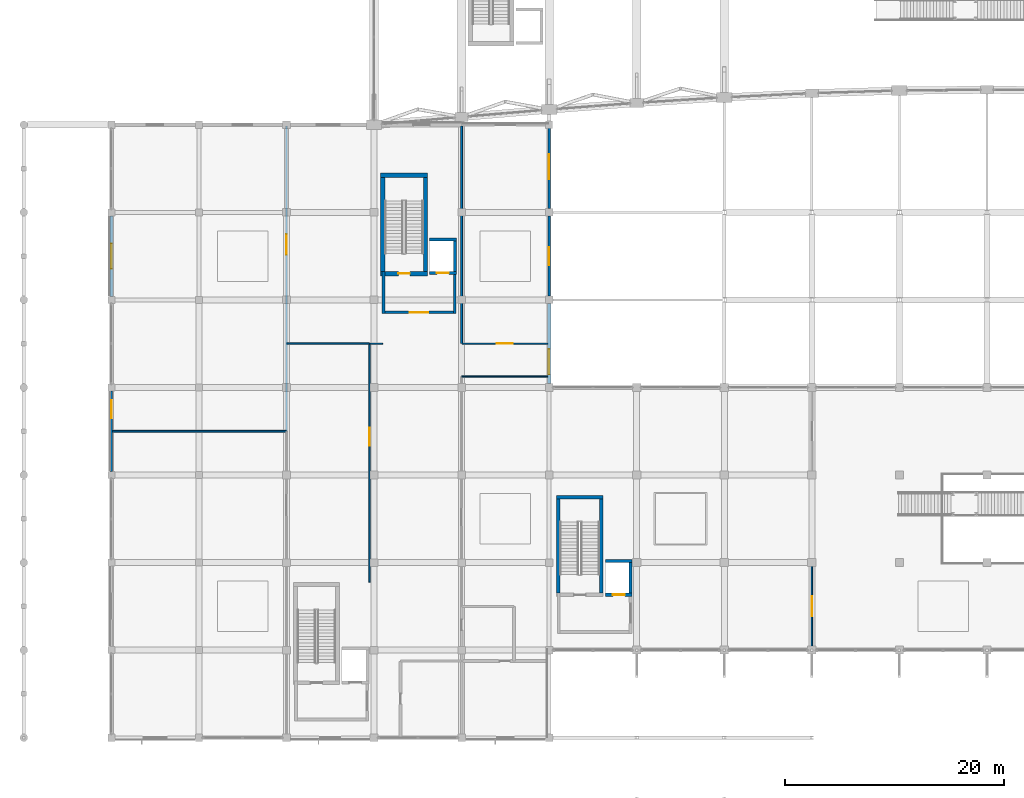
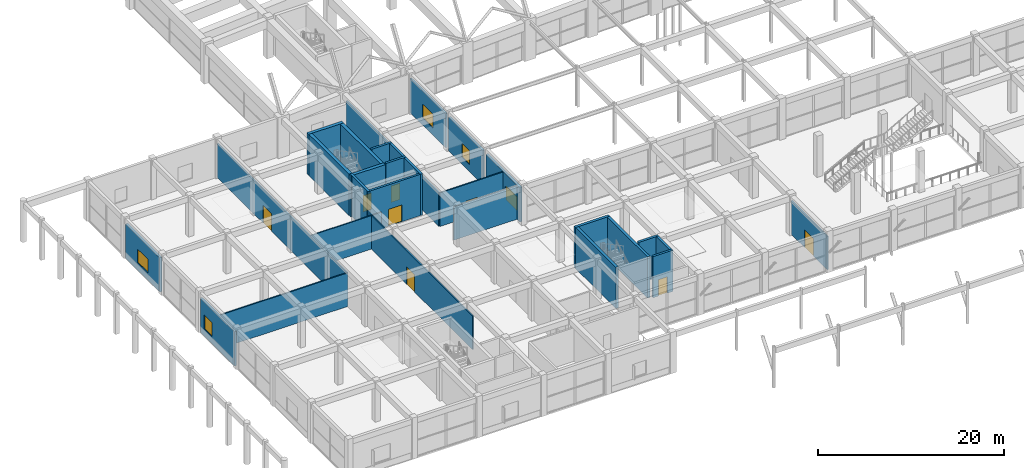
# One storey, part 48 of 69: 30 walls, 8 doors, 5 windows, 13 openings.
"""IFC4 building model written with IfcOpenShell, lengths in metres."""

from ifc_helpers import new_model, si_unit, direction, frame, frame_2d, origin, place, context, subcontext, project, spatial, rectangle, extrude, material, layer, layer_set, type_object, element, fill, save


model = new_model("IFC4")

# Units and contexts
model_context = context("Model", 3, precision=1e-05, world=origin(), true_north=direction((0.0, 1.0)))
body_context = subcontext(model_context, "Body", "Model", "MODEL_VIEW")
ifc_project = project(units=[si_unit("LENGTHUNIT", "METRE"), si_unit("AREAUNIT", "SQUARE_METRE"), si_unit("VOLUMEUNIT", "CUBIC_METRE"), si_unit("PLANEANGLEUNIT", "RADIAN"), si_unit("MASSUNIT", "GRAM", prefix="KILO")], contexts=[model_context])

# Site, building, storey
site_placement = place(None, origin())
site = spatial("IfcSite", under=ifc_project, at=site_placement, CompositionType="ELEMENT")
building_placement = place(site_placement, origin())
building = spatial("IfcBuilding", under=site, at=building_placement, Name="Kenh Van Central Station", CompositionType="ELEMENT")
storey_placement = place(building_placement, frame((0.0, 0.0, 5.39990234375)))
storey = spatial("IfcBuildingStorey", under=building, at=storey_placement, Name="L01", CompositionType="ELEMENT", Elevation=5.39990234375)

# Wall, opening, door
ifc_material_1 = material(Name="Concrete C40/50", Category="concrete")
ifc_layer_1 = layer(ifc_material_1, 0.280029296875, Name="Concrete C40/50")
ifc_layer_set_1 = layer_set([ifc_layer_1], Name="Concrete C40/50")
wall_type_1 = type_object("IfcWallType", Name="WL-CORE-280", PredefinedType="SHEAR", material=ifc_layer_set_1)
wall_1_placement = place(storey_placement, frame((37.050048828125, 50.4599609375, 0.0), z_axis=(0.0, 0.0, 1.0), x_axis=(1.0, 0.0, 0.0)))
wall_1 = element("IfcWall", 1, at=wall_1_placement, inside=storey, type_object=wall_type_1, Name="L01 LIFT-P2 shaft wall S", PredefinedType="SHEAR", context=body_context, shape_type="SweptSolid", body=[
    extrude(rectangle(XDim=2.47998046875, YDim=0.280029296875, at=frame_2d((1.239990234375, 0.0))), origin(), (0.0, 0.0, 1.0), 5.400146484375),
])
opening_1_placement = place(wall_1_placement, frame((0.68994140625, 0.0, 0.0)))
opening_1 = element("IfcOpeningElement", 2, at=opening_1_placement, cuts=wall_1, Name="Opening LD-P1", PredefinedType="OPENING", context=body_context, shape_type="SweptSolid", body=[
    extrude(rectangle(XDim=1.10009765625, YDim=2.14990234375, at=frame_2d((0.550048828125, 1.074951171875))), frame((0.0, 0.14990234375, 0.0), z_axis=(0.0, -1.0, 0.0), x_axis=(1.0, 0.0, 0.0)), (0.0, 0.0, 1.0), 0.300048828125),
])
ifc_material_2 = material(Name="Champagne anodised aluminium", Category="aluminium")
door_type_1 = type_object("IfcDoorType", Name="DR-LIFT-1100x2150", OperationType="SLIDING_TO_LEFT", PredefinedType="DOOR", material=ifc_material_2)
door_1_placement = place(opening_1_placement, origin())
door_1 = element("IfcDoor", 3, at=door_1_placement, inside=storey, type_object=door_type_1, Name="L01 LIFT-P2 sliding landing door", OperationType="SLIDING_TO_LEFT", OverallHeight=2.14990234375, OverallWidth=1.10009765625, PredefinedType="DOOR", context=body_context, shape_type="SweptSolid", body=[
    extrude(rectangle(XDim=1.10009765625, YDim=2.14990234375, at=frame_2d((0.550048828125, 1.074951171875))), frame((0.0, 0.02490234375, 0.0), z_axis=(0.0, -1.0, 0.0), x_axis=(1.0, 0.0, 0.0)), (0.0, 0.0, 1.0), 0.050048828125),
])
fill(opening_1, door_1)

# Walls
wall_2_placement = place(storey_placement, frame((37.050048828125, 53.5400390625, 0.0), z_axis=(0.0, 0.0, 1.0), x_axis=(1.0, 0.0, 0.0)))
element("IfcWall", 4, at=wall_2_placement, inside=storey, type_object=wall_type_1, Name="L01 LIFT-P2 shaft wall N", PredefinedType="SHEAR", context=body_context, shape_type="SweptSolid", body=[
    extrude(rectangle(XDim=2.47998046875, YDim=0.280029296875, at=frame_2d((1.239990234375, 0.0))), origin(), (0.0, 0.0, 1.0), 5.400146484375),
])
wall_3_placement = place(storey_placement, frame((39.389892578125, 50.60009765625, 0.0), z_axis=(0.0, 0.0, 1.0), x_axis=(0.0, 1.0, 0.0)))
element("IfcWall", 5, at=wall_3_placement, inside=storey, type_object=wall_type_1, Name="L01 LIFT-P2 shaft wall E", PredefinedType="SHEAR", context=body_context, shape_type="SweptSolid", body=[
    extrude(rectangle(XDim=2.7998046875, YDim=0.280029296875, at=frame_2d((1.39990234375, 0.0))), origin(), (0.0, 0.0, 1.0), 5.400146484375),
])

# Wall, opening, door
wall_4_placement = place(storey_placement, frame((53.14990234375, 21.06005859375, 0.0), z_axis=(0.0, 0.0, 1.0), x_axis=(1.0, 0.0, 0.0)))
wall_4 = element("IfcWall", 6, at=wall_4_placement, inside=storey, type_object=wall_type_1, Name="L01 LIFT-P3 shaft wall S", PredefinedType="SHEAR", context=body_context, shape_type="SweptSolid", body=[
    extrude(rectangle(XDim=2.43017578125, YDim=0.280029296875, at=frame_2d((1.215087890625, 0.0))), origin(), (0.0, 0.0, 1.0), 5.400146484375),
])
opening_2_placement = place(wall_4_placement, frame((0.6650390625, 0.0, 0.0)))
opening_2 = element("IfcOpeningElement", 7, at=opening_2_placement, cuts=wall_4, Name="Opening LD-P1", PredefinedType="OPENING", context=body_context, shape_type="SweptSolid", body=[
    extrude(rectangle(XDim=1.10009765625, YDim=2.14990234375, at=frame_2d((0.550048828125, 1.074951171875))), frame((0.0, 0.14990234375, 0.0), z_axis=(0.0, -1.0, 0.0), x_axis=(1.0, 0.0, 0.0)), (0.0, 0.0, 1.0), 0.300048828125),
])
door_2_placement = place(opening_2_placement, origin())
door_2 = element("IfcDoor", 8, at=door_2_placement, inside=storey, type_object=door_type_1, Name="L01 LIFT-P3 sliding landing door", OperationType="SLIDING_TO_LEFT", OverallHeight=2.14990234375, OverallWidth=1.10009765625, PredefinedType="DOOR", context=body_context, shape_type="SweptSolid", body=[
    extrude(rectangle(XDim=1.10009765625, YDim=2.14990234375, at=frame_2d((0.550048828125, 1.074951171875))), frame((0.0, 0.02490234375, 0.0), z_axis=(0.0, -1.0, 0.0), x_axis=(1.0, 0.0, 0.0)), (0.0, 0.0, 1.0), 0.050048828125),
])
fill(opening_2, door_2)

# Walls
wall_5_placement = place(storey_placement, frame((53.14990234375, 24.139892578125, 0.0), z_axis=(0.0, 0.0, 1.0), x_axis=(1.0, 0.0, 0.0)))
element("IfcWall", 9, at=wall_5_placement, inside=storey, type_object=wall_type_1, Name="L01 LIFT-P3 shaft wall N", PredefinedType="SHEAR", context=body_context, shape_type="SweptSolid", body=[
    extrude(rectangle(XDim=2.43017578125, YDim=0.280029296875, at=frame_2d((1.215087890625, 0.0))), origin(), (0.0, 0.0, 1.0), 5.400146484375),
])
wall_6_placement = place(storey_placement, frame((55.43994140625, 21.199951171875, 0.0), z_axis=(0.0, 0.0, 1.0), x_axis=(0.0, 1.0, 0.0)))
element("IfcWall", 10, at=wall_6_placement, inside=storey, type_object=wall_type_1, Name="L01 LIFT-P3 shaft wall E", PredefinedType="SHEAR", context=body_context, shape_type="SweptSolid", body=[
    extrude(rectangle(XDim=2.800048828125, YDim=0.280029296875, at=frame_2d((1.39990234375, 0.0))), origin(), (0.0, 0.0, 1.0), 5.400146484375),
])
ifc_layer_2 = layer(ifc_material_1, 0.320068359375, Name="Concrete C40/50")
ifc_layer_set_2 = layer_set([ifc_layer_2], Name="Concrete C40/50")
wall_type_2 = type_object("IfcWallType", Name="WL-CORE-320", PredefinedType="SHEAR", material=ifc_layer_set_2)
wall_7_placement = place(storey_placement, frame((48.679931640625, 29.9599609375, 0.0), z_axis=(0.0, 0.0, 1.0), x_axis=(1.0, 0.0, 0.0)))
element("IfcWall", 11, at=wall_7_placement, inside=storey, type_object=wall_type_2, Name="L01 CORE-03 stair wall N", PredefinedType="SHEAR", context=body_context, shape_type="SweptSolid", body=[
    extrude(rectangle(XDim=4.239990234375, YDim=0.320068359375, at=frame_2d((2.1201171875, 0.0))), origin(), (0.0, 0.0, 1.0), 5.400146484375),
])
for number, where, z_axis, x_axis, name in (
    (12, (48.840087890625, 21.199951171875, 0.0), (0.0, 0.0, 1.0), (0.0, 1.0, 0.0), "L01 CORE-03 stair wall W"),
    (13, (52.760009765625, 21.199951171875, 0.0), (0.0, 0.0, 1.0), (0.0, 1.0, 0.0), "L01 CORE-03 stair wall E"),
):
    element("IfcWall", number, at=place(storey_placement, frame(where, z_axis=z_axis, x_axis=x_axis)), inside=storey, type_object=wall_type_2, Name=name, PredefinedType="SHEAR", context=body_context, shape_type="SweptSolid", body=[
        extrude(rectangle(XDim=8.60009765625, YDim=0.320068359375, at=frame_2d((4.300048828125, 0.0))), origin(), (0.0, 0.0, 1.0), 5.400146484375),
    ])

# Wall, opening, door
ifc_layer_3 = layer(ifc_material_1, 0.39990234375, Name="Concrete C40/50")
ifc_layer_set_3 = layer_set([ifc_layer_3], Name="Concrete C40/50")
wall_type_3 = type_object("IfcWallType", Name="WL-CORE-400", PredefinedType="SHEAR", material=ifc_layer_set_3)
wall_8_placement = place(storey_placement, frame((32.60009765625, 50.39990234375, 0.0), z_axis=(0.0, 0.0, 1.0), x_axis=(1.0, 0.0, 0.0)))
wall_8 = element("IfcWall", 14, at=wall_8_placement, inside=storey, type_object=wall_type_3, Name="L01 CORE-02 stair wall S", PredefinedType="SHEAR", context=body_context, shape_type="SweptSolid", body=[
    extrude(rectangle(XDim=4.2998046875, YDim=0.39990234375, at=frame_2d((2.14990234375, 0.0))), origin(), (0.0, 0.0, 1.0), 5.400146484375),
])
opening_3_placement = place(wall_8_placement, frame((1.625, 0.0, 0.0)))
opening_3 = element("IfcOpeningElement", 15, at=opening_3_placement, cuts=wall_8, Name="Opening D-FD60", PredefinedType="OPENING", context=body_context, shape_type="SweptSolid", body=[
    extrude(rectangle(XDim=1.050048828125, YDim=2.14990234375, at=frame_2d((0.52490234375, 1.074951171875))), frame((0.0, 0.2099609375, 0.0), z_axis=(0.0, -1.0, 0.0), x_axis=(1.0, 0.0, 0.0)), (0.0, 0.0, 1.0), 0.419921875),
])
door_type_2 = type_object("IfcDoorType", Name="DR-FIRE-1050x2150", OperationType="NOTDEFINED", PredefinedType="DOOR", material=ifc_material_2)
door_3_placement = place(opening_3_placement, origin())
door_3 = element("IfcDoor", 16, at=door_3_placement, inside=storey, type_object=door_type_2, Name="L01 ST-02 stair door", OperationType="SINGLE_SWING_RIGHT", OverallHeight=2.14990234375, OverallWidth=1.050048828125, PredefinedType="DOOR", context=body_context, shape_type="SweptSolid", body=[
    extrude(rectangle(XDim=1.050048828125, YDim=2.14990234375, at=frame_2d((0.52490234375, 1.074951171875))), frame((0.0, 0.02490234375, 0.0), z_axis=(0.0, -1.0, 0.0), x_axis=(1.0, 0.0, 0.0)), (0.0, 0.0, 1.0), 0.050048828125),
])
fill(opening_3, door_3)

# Walls
wall_9_placement = place(storey_placement, frame((32.60009765625, 59.39990234375, 0.0), z_axis=(0.0, 0.0, 1.0), x_axis=(1.0, 0.0, 0.0)))
element("IfcWall", 17, at=wall_9_placement, inside=storey, type_object=wall_type_3, Name="L01 CORE-02 stair wall N", PredefinedType="SHEAR", context=body_context, shape_type="SweptSolid", body=[
    extrude(rectangle(XDim=4.2998046875, YDim=0.39990234375, at=frame_2d((2.14990234375, 0.0))), origin(), (0.0, 0.0, 1.0), 5.400146484375),
])
for number, where, z_axis, x_axis, name in (
    (18, (32.800048828125, 50.60009765625, 0.0), (0.0, 0.0, 1.0), (0.0, 1.0, 0.0), "L01 CORE-02 stair wall W"),
    (19, (36.699951171875, 50.60009765625, 0.0), (0.0, 0.0, 1.0), (0.0, 1.0, 0.0), "L01 CORE-02 stair wall E"),
):
    element("IfcWall", number, at=place(storey_placement, frame(where, z_axis=z_axis, x_axis=x_axis)), inside=storey, type_object=wall_type_3, Name=name, PredefinedType="SHEAR", context=body_context, shape_type="SweptSolid", body=[
        extrude(rectangle(XDim=8.599853515625, YDim=0.39990234375, at=frame_2d((4.2998046875, 0.0))), origin(), (0.0, 0.0, 1.0), 5.400146484375),
    ])

# Wall, opening, window
ifc_material_3 = material(Name="Saigon buff sandstone and terracotta masonry", Category="masonry")
ifc_layer_4 = layer(ifc_material_3, 0.2900390625, Name="Saigon buff sandstone and terracotta masonry")
ifc_layer_set_4 = layer_set([ifc_layer_4], Name="Saigon buff sandstone and terracotta masonry")
wall_type_4 = type_object("IfcWallType", Name="WL-EXT-290", PredefinedType="STANDARD", material=ifc_layer_set_4)
wall_10_placement = place(storey_placement, frame((8.0, 55.675048828125, 0.0), z_axis=(0.0, 0.0, 1.0), x_axis=(0.0, -1.0, 0.0)))
wall_10 = element("IfcWall", 20, at=wall_10_placement, inside=storey, type_object=wall_type_4, Name="L01 exterior wall 052", PredefinedType="STANDARD", context=body_context, shape_type="SweptSolid", body=[
    extrude(rectangle(XDim=7.35009765625, YDim=0.2900390625, at=frame_2d((3.675048828125, 0.0))), origin(), (0.0, 0.0, 1.0), 4.47998046875),
])
opening_4_placement = place(wall_10_placement, frame((2.52490234375, 0.0, 0.949951171875)))
opening_4 = element("IfcOpeningElement", 21, at=opening_4_placement, cuts=wall_10, Name="Opening WN-14", PredefinedType="OPENING", context=body_context, shape_type="SweptSolid", body=[
    extrude(rectangle(XDim=2.300048828125, YDim=1.800048828125, at=frame_2d((1.14990234375, 0.89990234375))), frame((0.0, 0.155029296875, 0.0), z_axis=(0.0, -1.0, 0.0), x_axis=(1.0, 0.0, 0.0)), (0.0, 0.0, 1.0), 0.31005859375),
])
ifc_material_4 = material(Name="Double-glazed low-E laminated solar glass", Category="glass")
window_type_1 = type_object("IfcWindowType", Name="WN-OP01-2300x1800", PartitioningType="DOUBLE_PANEL_VERTICAL", PredefinedType="WINDOW", material=ifc_material_4)
window_1_placement = place(opening_4_placement, origin())
window_1 = element("IfcWindow", 22, at=window_1_placement, inside=storey, type_object=window_type_1, Name="L01 window 024", OverallHeight=1.800048828125, OverallWidth=2.300048828125, PartitioningType="SINGLE_PANEL", PredefinedType="WINDOW", context=body_context, shape_type="SweptSolid", body=[
    extrude(rectangle(XDim=2.300048828125, YDim=1.800048828125, at=frame_2d((1.14990234375, 0.89990234375))), frame((0.0, 0.030029296875, 0.0), z_axis=(0.0, -1.0, 0.0), x_axis=(1.0, 0.0, 0.0)), (0.0, 0.0, 1.0), 0.06005859375),
])
fill(opening_4, window_1)

wall_11_placement = place(storey_placement, frame((48.0, 40.35009765625, 0.0), z_axis=(0.0, 0.0, 1.0), x_axis=(0.0, 1.0, 0.0)))
wall_11 = element("IfcWall", 23, at=wall_11_placement, inside=storey, type_object=wall_type_4, Name="L01 exterior wall 060", PredefinedType="STANDARD", context=body_context, shape_type="SweptSolid", body=[
    extrude(rectangle(XDim=7.2998046875, YDim=0.2900390625, at=frame_2d((3.64990234375, 0.0))), origin(), (0.0, 0.0, 1.0), 4.47998046875),
])
opening_5_placement = place(wall_11_placement, frame((0.85009765625, 0.0, 0.949951171875)))
opening_5 = element("IfcOpeningElement", 24, at=opening_5_placement, cuts=wall_11, Name="Opening WN-14", PredefinedType="OPENING", context=body_context, shape_type="SweptSolid", body=[
    extrude(rectangle(XDim=2.300048828125, YDim=1.800048828125, at=frame_2d((1.14990234375, 0.89990234375))), frame((0.0, 0.155029296875, 0.0), z_axis=(0.0, -1.0, 0.0), x_axis=(1.0, 0.0, 0.0)), (0.0, 0.0, 1.0), 0.31005859375),
])
window_2_placement = place(opening_5_placement, origin())
window_2 = element("IfcWindow", 25, at=window_2_placement, inside=storey, type_object=window_type_1, Name="L01 window 032", OverallHeight=1.800048828125, OverallWidth=2.300048828125, PartitioningType="SINGLE_PANEL", PredefinedType="WINDOW", context=body_context, shape_type="SweptSolid", body=[
    extrude(rectangle(XDim=2.300048828125, YDim=1.800048828125, at=frame_2d((1.14990234375, 0.89990234375))), frame((0.0, 0.030029296875, 0.0), z_axis=(0.0, -1.0, 0.0), x_axis=(1.0, 0.0, 0.0)), (0.0, 0.0, 1.0), 0.06005859375),
])
fill(opening_5, window_2)

# Wall, opening, door
ifc_layer_5 = layer(ifc_material_1, 0.260009765625, Name="Concrete C40/50")
ifc_layer_set_5 = layer_set([ifc_layer_5], Name="Concrete C40/50")
wall_type_5 = type_object("IfcWallType", Name="WL-FIRE-260", PredefinedType="SHEAR", material=ifc_layer_set_5)
wall_12_placement = place(storey_placement, frame((39.510009765625, 46.8701171875, 0.0), z_axis=(0.0, 0.0, 1.0), x_axis=(-1.0, 0.0, 0.0)))
wall_12 = element("IfcWall", 26, at=wall_12_placement, inside=storey, type_object=wall_type_5, Name="L01 CORE-02 lobby wall S", PredefinedType="SHEAR", context=body_context, shape_type="SweptSolid", body=[
    extrude(rectangle(XDim=6.77001953125, YDim=0.260009765625, at=frame_2d((3.385009765625, 0.0))), origin(), (0.0, 0.0, 1.0), 5.400146484375),
])
opening_6_placement = place(wall_12_placement, frame((2.534912109375, 0.0, 0.0)))
opening_6 = element("IfcOpeningElement", 27, at=opening_6_placement, cuts=wall_12, Name="Opening D-FD60D", PredefinedType="OPENING", context=body_context, shape_type="SweptSolid", body=[
    extrude(rectangle(XDim=1.699951171875, YDim=2.199951171875, at=frame_2d((0.85009765625, 1.10009765625))), frame((0.0, 0.139892578125, 0.0), z_axis=(0.0, -1.0, 0.0), x_axis=(1.0, 0.0, 0.0)), (0.0, 0.0, 1.0), 0.280029296875),
])
door_type_3 = type_object("IfcDoorType", Name="DR-FIRE-1700x2200", OperationType="DOUBLE_DOOR_SINGLE_SWING", PredefinedType="DOOR", material=ifc_material_2)
door_4_placement = place(opening_6_placement, origin())
door_4 = element("IfcDoor", 28, at=door_4_placement, inside=storey, type_object=door_type_3, Name="L01 CORE-02 smoke-stop lobby door", OperationType="DOUBLE_DOOR_SINGLE_SWING", OverallHeight=2.199951171875, OverallWidth=1.699951171875, PredefinedType="DOOR", context=body_context, shape_type="SweptSolid", body=[
    extrude(rectangle(XDim=1.699951171875, YDim=2.199951171875, at=frame_2d((0.85009765625, 1.10009765625))), frame((0.0, 0.02490234375, 0.0), z_axis=(0.0, -1.0, 0.0), x_axis=(1.0, 0.0, 0.0)), (0.0, 0.0, 1.0), 0.050048828125),
])
fill(opening_6, door_4)

# Walls
for number, where, z_axis, x_axis, name in (
    (29, (32.8701171875, 46.739990234375, 0.0), (0.0, 0.0, 1.0), (0.0, 1.0, 0.0), "L01 CORE-02 lobby wall W"),
    (30, (39.3798828125, 46.739990234375, 0.0), (0.0, 0.0, 1.0), (0.0, 1.0, 0.0), "L01 CORE-02 lobby wall E"),
):
    element("IfcWall", number, at=place(storey_placement, frame(where, z_axis=z_axis, x_axis=x_axis)), inside=storey, type_object=wall_type_5, Name=name, PredefinedType="SHEAR", context=body_context, shape_type="SweptSolid", body=[
        extrude(rectangle(XDim=3.860107421875, YDim=0.260009765625, at=frame_2d((1.93017578125, 0.0))), origin(), (0.0, 0.0, 1.0), 5.400146484375),
    ])
ifc_material_5 = material(Name="Lightweight acoustic masonry blockwork", Category="masonry")
ifc_layer_6 = layer(ifc_material_5, 0.10009765625, Name="Lightweight acoustic masonry blockwork")
ifc_layer_set_6 = layer_set([ifc_layer_6], Name="Lightweight acoustic masonry blockwork")
wall_type_6 = type_object("IfcWallType", Name="WL-PART-100", PredefinedType="PARTITIONING", material=ifc_layer_set_6)
wall_13_placement = place(storey_placement, frame((40.02001953125, 41.0, 0.0), z_axis=(0.0, 0.0, 1.0), x_axis=(1.0, 0.0, 0.0)))
element("IfcWall", 31, at=wall_13_placement, inside=storey, type_object=wall_type_6, Name="L01 interior wall 0104", PredefinedType="PARTITIONING", context=body_context, shape_type="SweptSolid", body=[
    extrude(rectangle(XDim=7.85986328125, YDim=0.10009765625, at=frame_2d((3.929931640625, 0.0))), origin(), (0.0, 0.0, 1.0), 4.39013671875),
])
ifc_layer_7 = layer(ifc_material_5, 0.125, Name="Lightweight acoustic masonry blockwork")
ifc_layer_set_7 = layer_set([ifc_layer_7], Name="Lightweight acoustic masonry blockwork")
wall_type_7 = type_object("IfcWallType", Name="WL-PART-125", PredefinedType="PARTITIONING", material=ifc_layer_set_7)
wall_14_placement = place(storey_placement, frame((31.6201171875, 44.0, 0.0), z_axis=(0.0, 0.0, 1.0), x_axis=(1.0, 0.0, 0.0)))
element("IfcWall", 32, at=wall_14_placement, inside=storey, type_object=wall_type_7, Name="L01 interior wall 0102", PredefinedType="PARTITIONING", context=body_context, shape_type="SweptSolid", body=[
    extrude(rectangle(XDim=1.159912109375, YDim=0.125, at=frame_2d((0.580078125, 0.0))), origin(), (0.0, 0.0, 1.0), 4.39013671875),
])
ifc_layer_8 = layer(ifc_material_5, 0.135009765625, Name="Lightweight acoustic masonry blockwork")
ifc_layer_set_8 = layer_set([ifc_layer_8], Name="Lightweight acoustic masonry blockwork")
wall_type_8 = type_object("IfcWallType", Name="WL-PART-135", PredefinedType="PARTITIONING", material=ifc_layer_set_8)
wall_15_placement = place(storey_placement, frame((24.02001953125, 44.0, 0.0), z_axis=(0.0, 0.0, 1.0), x_axis=(1.0, 0.0, 0.0)))
element("IfcWall", 33, at=wall_15_placement, inside=storey, type_object=wall_type_8, Name="L01 interior wall 0101", PredefinedType="PARTITIONING", context=body_context, shape_type="SweptSolid", body=[
    extrude(rectangle(XDim=7.56005859375, YDim=0.135009765625, at=frame_2d((3.780029296875, 0.0))), origin(), (0.0, 0.0, 1.0), 4.39013671875),
])

# Wall, opening, door
ifc_layer_9 = layer(ifc_material_5, 0.14990234375, Name="Lightweight acoustic masonry blockwork")
ifc_layer_set_9 = layer_set([ifc_layer_9], Name="Lightweight acoustic masonry blockwork")
wall_type_9 = type_object("IfcWallType", Name="WL-PART-150", PredefinedType="PARTITIONING", material=ifc_layer_set_9)
wall_16_placement = place(storey_placement, frame((31.60009765625, 22.219970703125, 0.0), z_axis=(0.0, 0.0, 1.0), x_axis=(0.0, 1.0, 0.0)))
wall_16 = element("IfcWall", 34, at=wall_16_placement, inside=storey, type_object=wall_type_9, Name="L01 interior wall 0100", PredefinedType="PARTITIONING", context=body_context, shape_type="SweptSolid", body=[
    extrude(rectangle(XDim=21.760009765625, YDim=0.14990234375, at=frame_2d((10.8798828125, 0.0))), origin(), (0.0, 0.0, 1.0), 4.39013671875),
])
opening_7_placement = place(wall_16_placement, frame((12.46826171875, 0.0, 0.0)))
opening_7 = element("IfcOpeningElement", 35, at=opening_7_placement, cuts=wall_16, Name="Opening D-IN02", PredefinedType="OPENING", context=body_context, shape_type="SweptSolid", body=[
    extrude(rectangle(XDim=1.64990234375, YDim=2.25, at=frame_2d((0.824951171875, 1.125))), frame((0.0, 0.0849609375, 0.0), z_axis=(0.0, -1.0, 0.0), x_axis=(1.0, 0.0, 0.0)), (0.0, 0.0, 1.0), 0.169921875),
])
ifc_material_6 = material(Name="Architectural hardwood timber", Category="wood")
door_type_4 = type_object("IfcDoorType", Name="DR-INT-1650x2250", OperationType="DOUBLE_DOOR_SINGLE_SWING", PredefinedType="DOOR", material=ifc_material_6)
door_5_placement = place(opening_7_placement, origin())
door_5 = element("IfcDoor", 36, at=door_5_placement, inside=storey, type_object=door_type_4, Name="L01 interior door 0055", OperationType="DOUBLE_DOOR_SINGLE_SWING", OverallHeight=2.25, OverallWidth=1.64990234375, PredefinedType="DOOR", context=body_context, shape_type="SweptSolid", body=[
    extrude(rectangle(XDim=1.64990234375, YDim=2.25, at=frame_2d((0.824951171875, 1.125))), frame((0.0, 0.02490234375, 0.0), z_axis=(0.0, -1.0, 0.0), x_axis=(1.0, 0.0, 0.0)), (0.0, 0.0, 1.0), 0.050048828125),
])
fill(opening_7, door_5)

wall_17_placement = place(storey_placement, frame((72.0, 16.1201171875, 0.0), z_axis=(0.0, 0.0, 1.0), x_axis=(0.0, 1.0, 0.0)))
wall_17 = element("IfcWall", 37, at=wall_17_placement, inside=storey, type_object=wall_type_9, Name="L01 interior wall 0114", PredefinedType="PARTITIONING", context=body_context, shape_type="SweptSolid", body=[
    extrude(rectangle(XDim=7.759765625, YDim=0.14990234375, at=frame_2d((3.8798828125, 0.0))), origin(), (0.0, 0.0, 1.0), 4.380126953125),
])
opening_8_placement = place(wall_17_placement, frame((2.955078125, 0.0, 0.0)))
opening_8 = element("IfcOpeningElement", 38, at=opening_8_placement, cuts=wall_17, Name="Opening D-IN01", PredefinedType="OPENING", context=body_context, shape_type="SweptSolid", body=[
    extrude(rectangle(XDim=1.85009765625, YDim=2.300048828125, at=frame_2d((0.925048828125, 1.14990234375))), frame((0.0, 0.0849609375, 0.0), z_axis=(0.0, -1.0, 0.0), x_axis=(1.0, 0.0, 0.0)), (0.0, 0.0, 1.0), 0.169921875),
])
door_type_5 = type_object("IfcDoorType", Name="DR-INT-1850x2300", OperationType="DOUBLE_DOOR_SINGLE_SWING", PredefinedType="DOOR", material=ifc_material_6)
door_6_placement = place(opening_8_placement, origin())
door_6 = element("IfcDoor", 39, at=door_6_placement, inside=storey, type_object=door_type_5, Name="L01 interior door 0061", OperationType="DOUBLE_DOOR_SINGLE_SWING", OverallHeight=2.300048828125, OverallWidth=1.85009765625, PredefinedType="DOOR", context=body_context, shape_type="SweptSolid", body=[
    extrude(rectangle(XDim=1.85009765625, YDim=2.300048828125, at=frame_2d((0.925048828125, 1.14990234375))), frame((0.0, 0.02490234375, 0.0), z_axis=(0.0, -1.0, 0.0), x_axis=(1.0, 0.0, 0.0)), (0.0, 0.0, 1.0), 0.050048828125),
])
fill(opening_8, door_6)

# Wall
ifc_layer_10 = layer(ifc_material_5, 0.159912109375, Name="Lightweight acoustic masonry blockwork")
ifc_layer_set_10 = layer_set([ifc_layer_10], Name="Lightweight acoustic masonry blockwork")
wall_type_10 = type_object("IfcWallType", Name="WL-PART-160", PredefinedType="PARTITIONING", material=ifc_layer_set_10)
wall_18_placement = place(storey_placement, frame((8.1201171875, 36.0, 0.0), z_axis=(0.0, 0.0, 1.0), x_axis=(1.0, 0.0, 0.0)))
element("IfcWall", 40, at=wall_18_placement, inside=storey, type_object=wall_type_10, Name="L01 interior wall 0099", PredefinedType="PARTITIONING", context=body_context, shape_type="SweptSolid", body=[
    extrude(rectangle(XDim=15.85986328125, YDim=0.159912109375, at=frame_2d((7.929931640625, 0.0))), origin(), (0.0, 0.0, 1.0), 4.39013671875),
])

# Wall, opening, door
wall_19_placement = place(storey_placement, frame((40.02001953125, 44.0, 0.0), z_axis=(0.0, 0.0, 1.0), x_axis=(1.0, 0.0, 0.0)))
wall_19 = element("IfcWall", 41, at=wall_19_placement, inside=storey, type_object=wall_type_10, Name="L01 interior wall 0113", PredefinedType="PARTITIONING", context=body_context, shape_type="SweptSolid", body=[
    extrude(rectangle(XDim=7.85986328125, YDim=0.159912109375, at=frame_2d((3.929931640625, 0.0))), origin(), (0.0, 0.0, 1.0), 4.39013671875),
])
opening_9_placement = place(wall_19_placement, frame((3.205078125, 0.0, 0.0)))
opening_9 = element("IfcOpeningElement", 42, at=opening_9_placement, cuts=wall_19, Name="Opening D-IN03", PredefinedType="OPENING", context=body_context, shape_type="SweptSolid", body=[
    extrude(rectangle(XDim=1.449951171875, YDim=2.199951171875, at=frame_2d((0.72509765625, 1.10009765625))), frame((0.0, 0.08984375, 0.0), z_axis=(0.0, -1.0, 0.0), x_axis=(1.0, 0.0, 0.0)), (0.0, 0.0, 1.0), 0.179931640625),
])
door_type_6 = type_object("IfcDoorType", Name="DR-INT-1450x2200", OperationType="DOUBLE_DOOR_SINGLE_SWING", PredefinedType="DOOR", material=ifc_material_6)
door_7_placement = place(opening_9_placement, origin())
door_7 = element("IfcDoor", 43, at=door_7_placement, inside=storey, type_object=door_type_6, Name="L01 interior door 0060", OperationType="DOUBLE_DOOR_SINGLE_SWING", OverallHeight=2.199951171875, OverallWidth=1.449951171875, PredefinedType="DOOR", context=body_context, shape_type="SweptSolid", body=[
    extrude(rectangle(XDim=1.449951171875, YDim=2.199951171875, at=frame_2d((0.72509765625, 1.10009765625))), frame((0.0, 0.02490234375, 0.0), z_axis=(0.0, -1.0, 0.0), x_axis=(1.0, 0.0, 0.0)), (0.0, 0.0, 1.0), 0.050048828125),
])
fill(opening_9, door_7)

ifc_layer_11 = layer(ifc_material_5, 0.175048828125, Name="Lightweight acoustic masonry blockwork")
ifc_layer_set_11 = layer_set([ifc_layer_11], Name="Lightweight acoustic masonry blockwork")
wall_type_11 = type_object("IfcWallType", Name="WL-PART-175", PredefinedType="PARTITIONING", material=ifc_layer_set_11)
wall_20_placement = place(storey_placement, frame((24.0, 36.02001953125, 0.0), z_axis=(0.0, 0.0, 1.0), x_axis=(0.0, 1.0, 0.0)))
wall_20 = element("IfcWall", 44, at=wall_20_placement, inside=storey, type_object=wall_type_11, Name="L01 interior wall 0098", PredefinedType="PARTITIONING", context=body_context, shape_type="SweptSolid", body=[
    extrude(rectangle(XDim=27.85986328125, YDim=0.175048828125, at=frame_2d((13.929931640625, 0.0))), origin(), (0.0, 0.0, 1.0), 4.39013671875),
])
opening_10_placement = place(wall_20_placement, frame((16.126220703125, 0.0, 0.0)))
opening_10 = element("IfcOpeningElement", 45, at=opening_10_placement, cuts=wall_20, Name="Opening D-IN01", PredefinedType="OPENING", context=body_context, shape_type="SweptSolid", body=[
    extrude(rectangle(XDim=1.85009765625, YDim=2.300048828125, at=frame_2d((0.925048828125, 1.14990234375))), frame((0.0, 0.097412109375, 0.0), z_axis=(0.0, -1.0, 0.0), x_axis=(1.0, 0.0, 0.0)), (0.0, 0.0, 1.0), 0.195068359375),
])
door_8_placement = place(opening_10_placement, origin())
door_8 = element("IfcDoor", 46, at=door_8_placement, inside=storey, type_object=door_type_5, Name="L01 interior door 0054", OperationType="DOUBLE_DOOR_SINGLE_SWING", OverallHeight=2.300048828125, OverallWidth=1.85009765625, PredefinedType="DOOR", context=body_context, shape_type="SweptSolid", body=[
    extrude(rectangle(XDim=1.85009765625, YDim=2.300048828125, at=frame_2d((0.925048828125, 1.14990234375))), frame((0.0, 0.02490234375, 0.0), z_axis=(0.0, -1.0, 0.0), x_axis=(1.0, 0.0, 0.0)), (0.0, 0.0, 1.0), 0.050048828125),
])
fill(opening_10, door_8)

# Wall
wall_21_placement = place(storey_placement, frame((40.0, 44.02001953125, 0.0), z_axis=(0.0, 0.0, 1.0), x_axis=(0.0, 1.0, 0.0)))
element("IfcWall", 47, at=wall_21_placement, inside=storey, type_object=wall_type_11, Name="L01 interior wall 0112", PredefinedType="PARTITIONING", context=body_context, shape_type="SweptSolid", body=[
    extrude(rectangle(XDim=19.85986328125, YDim=0.175048828125, at=frame_2d((9.929931640625, 0.0))), origin(), (0.0, 0.0, 1.0), 4.39013671875),
])

# Wall, opening, window
ifc_material_7 = material(Name="Glazed terracotta architectural masonry", Category="masonry")
ifc_layer_12 = layer(ifc_material_7, 0.219970703125, Name="Glazed terracotta architectural masonry")
ifc_layer_set_12 = layer_set([ifc_layer_12], Name="Glazed terracotta architectural masonry")
wall_type_12 = type_object("IfcWallType", Name="WL-SLD-220", PredefinedType="SOLIDWALL", material=ifc_layer_set_12)
wall_22_placement = place(storey_placement, frame((48.0, 56.35009765625, 0.0), z_axis=(0.0, 0.0, 1.0), x_axis=(0.0, 1.0, 0.0)))
wall_22 = element("IfcWall", 48, at=wall_22_placement, inside=storey, type_object=wall_type_12, Name="L01 exterior wall 062", PredefinedType="SOLIDWALL", context=body_context, shape_type="SweptSolid", body=[
    extrude(rectangle(XDim=7.64990234375, YDim=0.219970703125, at=frame_2d((3.824951171875, 0.0))), origin(), (0.0, 0.0, 1.0), 4.47998046875),
])
opening_11_placement = place(wall_22_placement, frame((2.675048828125, 0.0, 0.949951171875)))
opening_11 = element("IfcOpeningElement", 49, at=opening_11_placement, cuts=wall_22, Name="Opening WN-14", PredefinedType="OPENING", context=body_context, shape_type="SweptSolid", body=[
    extrude(rectangle(XDim=2.300048828125, YDim=1.800048828125, at=frame_2d((1.14990234375, 0.89990234375))), frame((0.0, 0.119873046875, 0.0), z_axis=(0.0, -1.0, 0.0), x_axis=(1.0, 0.0, 0.0)), (0.0, 0.0, 1.0), 0.239990234375),
])
window_3_placement = place(opening_11_placement, origin())
window_3 = element("IfcWindow", 50, at=window_3_placement, inside=storey, type_object=window_type_1, Name="L01 window 034", OverallHeight=1.800048828125, OverallWidth=2.300048828125, PartitioningType="SINGLE_PANEL", PredefinedType="WINDOW", context=body_context, shape_type="SweptSolid", body=[
    extrude(rectangle(XDim=2.300048828125, YDim=1.800048828125, at=frame_2d((1.14990234375, 0.89990234375))), frame((0.0, 0.030029296875, 0.0), z_axis=(0.0, -1.0, 0.0), x_axis=(1.0, 0.0, 0.0)), (0.0, 0.0, 1.0), 0.06005859375),
])
fill(opening_11, window_3)

ifc_layer_13 = layer(ifc_material_7, 0.239990234375, Name="Glazed terracotta architectural masonry")
ifc_layer_set_13 = layer_set([ifc_layer_13], Name="Glazed terracotta architectural masonry")
wall_type_13 = type_object("IfcWallType", Name="WL-SLD-240", PredefinedType="SOLIDWALL", material=ifc_layer_set_13)
wall_23_placement = place(storey_placement, frame((8.0, 39.675048828125, 0.0), z_axis=(0.0, 0.0, 1.0), x_axis=(0.0, -1.0, 0.0)))
wall_23 = element("IfcWall", 51, at=wall_23_placement, inside=storey, type_object=wall_type_13, Name="L01 exterior wall 053", PredefinedType="SOLIDWALL", context=body_context, shape_type="SweptSolid", body=[
    extrude(rectangle(XDim=7.35009765625, YDim=0.239990234375, at=frame_2d((3.675048828125, 0.0))), origin(), (0.0, 0.0, 1.0), 4.485107421875),
])
opening_12_placement = place(wall_23_placement, frame((0.85009765625, 0.0, 0.949951171875)))
opening_12 = element("IfcOpeningElement", 52, at=opening_12_placement, cuts=wall_23, Name="Opening WN-15", PredefinedType="OPENING", context=body_context, shape_type="SweptSolid", body=[
    extrude(rectangle(XDim=1.64990234375, YDim=1.800048828125, at=frame_2d((0.824951171875, 0.89990234375))), frame((0.0, 0.1298828125, 0.0), z_axis=(0.0, -1.0, 0.0), x_axis=(1.0, 0.0, 0.0)), (0.0, 0.0, 1.0), 0.260009765625),
])
window_type_2 = type_object("IfcWindowType", Name="WN-OP01-1650x1800", PartitioningType="SINGLE_PANEL", PredefinedType="WINDOW", material=ifc_material_4)
window_4_placement = place(opening_12_placement, origin())
window_4 = element("IfcWindow", 53, at=window_4_placement, inside=storey, type_object=window_type_2, Name="L01 window 025", OverallHeight=1.800048828125, OverallWidth=1.64990234375, PartitioningType="SINGLE_PANEL", PredefinedType="WINDOW", context=body_context, shape_type="SweptSolid", body=[
    extrude(rectangle(XDim=1.64990234375, YDim=1.800048828125, at=frame_2d((0.824951171875, 0.89990234375))), frame((0.0, 0.030029296875, 0.0), z_axis=(0.0, -1.0, 0.0), x_axis=(1.0, 0.0, 0.0)), (0.0, 0.0, 1.0), 0.06005859375),
])
fill(opening_12, window_4)

wall_24_placement = place(storey_placement, frame((48.0, 48.35009765625, 0.0), z_axis=(0.0, 0.0, 1.0), x_axis=(0.0, 1.0, 0.0)))
wall_24 = element("IfcWall", 54, at=wall_24_placement, inside=storey, type_object=wall_type_13, Name="L01 exterior wall 061", PredefinedType="SOLIDWALL", context=body_context, shape_type="SweptSolid", body=[
    extrude(rectangle(XDim=7.2998046875, YDim=0.239990234375, at=frame_2d((3.64990234375, 0.0))), origin(), (0.0, 0.0, 1.0), 4.47998046875),
])
opening_13_placement = place(wall_24_placement, frame((2.824951171875, 0.0, 0.949951171875)))
opening_13 = element("IfcOpeningElement", 55, at=opening_13_placement, cuts=wall_24, Name="Opening WN-15", PredefinedType="OPENING", context=body_context, shape_type="SweptSolid", body=[
    extrude(rectangle(XDim=1.64990234375, YDim=1.800048828125, at=frame_2d((0.824951171875, 0.89990234375))), frame((0.0, 0.1298828125, 0.0), z_axis=(0.0, -1.0, 0.0), x_axis=(1.0, 0.0, 0.0)), (0.0, 0.0, 1.0), 0.260009765625),
])
window_5_placement = place(opening_13_placement, origin())
window_5 = element("IfcWindow", 56, at=window_5_placement, inside=storey, type_object=window_type_2, Name="L01 window 033", OverallHeight=1.800048828125, OverallWidth=1.64990234375, PartitioningType="SINGLE_PANEL", PredefinedType="WINDOW", context=body_context, shape_type="SweptSolid", body=[
    extrude(rectangle(XDim=1.64990234375, YDim=1.800048828125, at=frame_2d((0.824951171875, 0.89990234375))), frame((0.0, 0.030029296875, 0.0), z_axis=(0.0, -1.0, 0.0), x_axis=(1.0, 0.0, 0.0)), (0.0, 0.0, 1.0), 0.06005859375),
])
fill(opening_13, window_5)

save(model, "model.ifc")
